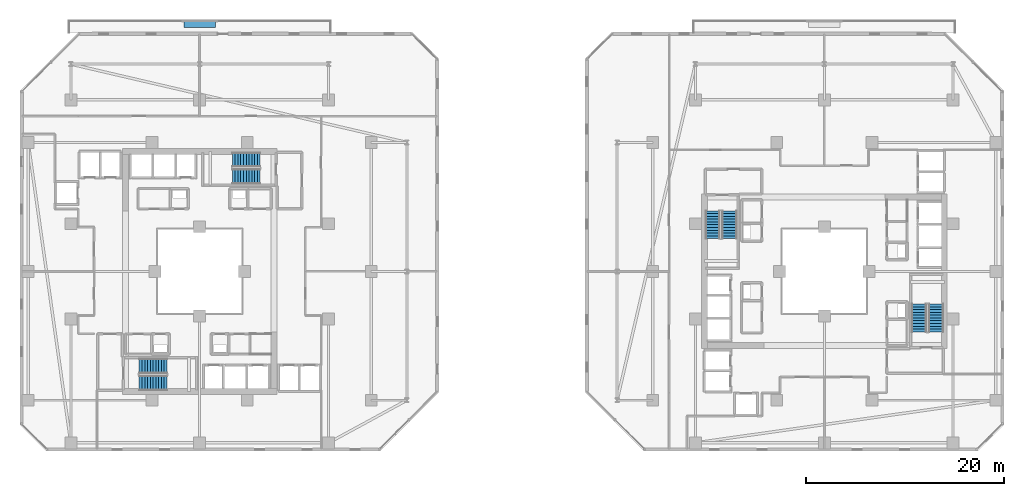
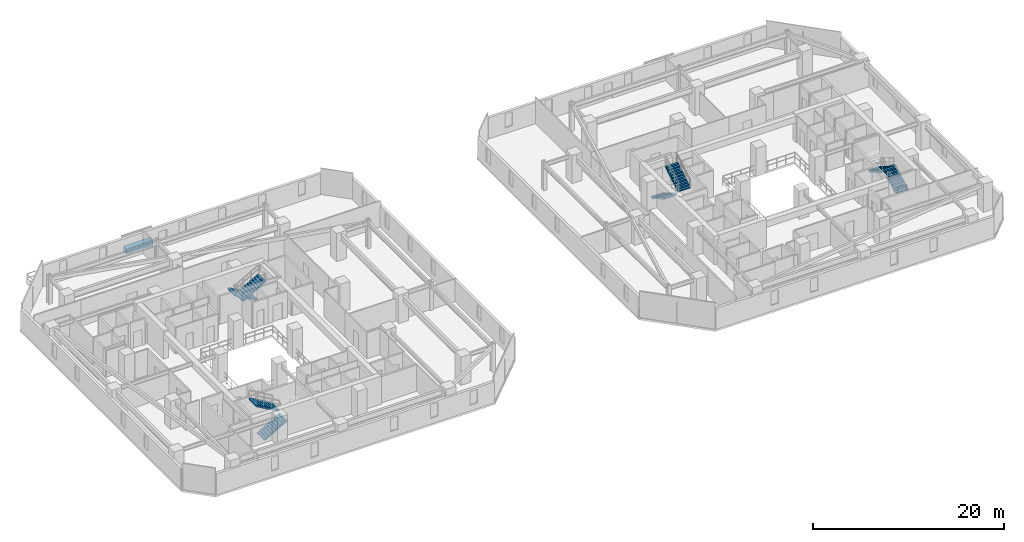
# One storey, part 24 of 30: 8 stair flights, 1 discrete accessory, 4 elements without a shape of their own.
"""IFC4 building model written with IfcOpenShell, lengths in metres."""

from ifc_helpers import new_model, si_unit, direction, frame, origin, origin_2d, place, context, subcontext, project, spatial, polyline, rectangle, outline, extrude, material, type_object, element, aggregate, save


model = new_model("IFC4")

# Units and contexts
model_context = context("Model", 3, precision=1e-05, world=origin(), true_north=direction((0.0, 1.0)))
body_context = subcontext(model_context, "Body", "Model", "MODEL_VIEW")
ifc_project = project(units=[si_unit("LENGTHUNIT", "METRE"), si_unit("AREAUNIT", "SQUARE_METRE"), si_unit("VOLUMEUNIT", "CUBIC_METRE"), si_unit("PLANEANGLEUNIT", "RADIAN"), si_unit("MASSUNIT", "GRAM", prefix="KILO")], contexts=[model_context])

# Site, building, storey
site_placement = place(None, origin())
site = spatial("IfcSite", under=ifc_project, at=site_placement, CompositionType="ELEMENT")
building_placement = place(site_placement, origin())
building = spatial("IfcBuilding", under=site, at=building_placement, Name="Thornwick Lancets Civic Towers", CompositionType="ELEMENT")
storey_placement = place(building_placement, frame((0.0, 0.0, 80.10009765625)))
storey = spatial("IfcBuildingStorey", under=building, at=storey_placement, Name="L20", CompositionType="ELEMENT", Elevation=80.10009765625)

# Stair, stair flights
ifc_material_1 = material(Name="Concrete C40/50", Category="concrete")
stair_type = type_object("IfcStairType", Name="STAIR_DL_3600", PredefinedType="HALF_TURN_STAIR", material=ifc_material_1)
stair_1_placement = place(storey_placement, origin())
stair_1 = element("IfcStair", 1, at=stair_1_placement, inside=storey, type_object=stair_type, Name="L20 Tower A South Exit Stair ST-A1", PredefinedType="HALF_TURN_STAIR")
stair_flight_type = type_object("IfcStairFlightType", Name="FLIGHT_3600", PredefinedType="STRAIGHT", material=ifc_material_1)
stair_flight_1_placement = place(storey_placement, frame((19.39990234375, 15.75, 0.0), z_axis=(0.0, 0.0, 1.0), x_axis=(1.0, 0.0, 0.0)))
stair_flight_1 = element("IfcStairFlight", 2, at=stair_flight_1_placement, type_object=stair_flight_type, Name="ST-A1 flight 1", NumberOfRisers=11, NumberOfTreads=10, PredefinedType="STRAIGHT", RiserHeight=0.163636364, TreadLength=0.28, context=body_context, shape_type="SweptSolid", body=[
    extrude(outline(polyline([(0.0, 0.0), (0.0, 0.16357421875), (0.280029296875, 0.16357421875), (0.280029296875, 0.327392578125), (0.56005859375, 0.327392578125), (0.56005859375, 0.490966796875), (0.840087890625, 0.490966796875), (0.840087890625, 0.654541015625), (1.1201171875, 0.654541015625), (1.1201171875, 0.818115234375), (1.39990234375, 0.818115234375), (1.39990234375, 0.98193359375), (1.679931640625, 0.98193359375), (1.679931640625, 1.1455078125), (1.9599609375, 1.1455078125), (1.9599609375, 1.30908203125), (2.239990234375, 1.30908203125), (2.239990234375, 1.47265625), (2.52001953125, 1.47265625), (2.52001953125, 1.636474609375), (2.800048828125, 1.636474609375), (2.800048828125, 1.800048828125), (2.800048828125, 1.462646484375), (0.297119140625, 0.0), (0.0, 0.0)])), frame((0.0, 0.75, 0.0), z_axis=(0.0, -1.0, 0.0), x_axis=(1.0, 0.0, 0.0)), (0.0, 0.0, 1.0), 1.5),
])
stair_flight_2_placement = place(storey_placement, frame((22.199951171875, 17.449951171875, 1.7998046875), z_axis=(0.0, 0.0, 1.0), x_axis=(-1.0, 0.0, 0.0)))
stair_flight_2 = element("IfcStairFlight", 3, at=stair_flight_2_placement, type_object=stair_flight_type, Name="ST-A1 flight 2", NumberOfRisers=11, NumberOfTreads=10, PredefinedType="STRAIGHT", RiserHeight=0.163636364, TreadLength=0.28, context=body_context, shape_type="SweptSolid", body=[
    extrude(outline(polyline([(0.0, 0.0), (0.0, 0.16357421875), (0.280029296875, 0.16357421875), (0.280029296875, 0.327392578125), (0.56005859375, 0.327392578125), (0.56005859375, 0.490966796875), (0.840087890625, 0.490966796875), (0.840087890625, 0.654541015625), (1.1201171875, 0.654541015625), (1.1201171875, 0.818115234375), (1.39990234375, 0.818115234375), (1.39990234375, 0.98193359375), (1.679931640625, 0.98193359375), (1.679931640625, 1.1455078125), (1.9599609375, 1.1455078125), (1.9599609375, 1.30908203125), (2.239990234375, 1.30908203125), (2.239990234375, 1.47265625), (2.52001953125, 1.47265625), (2.52001953125, 1.636474609375), (2.800048828125, 1.636474609375), (2.800048828125, 1.800048828125), (2.800048828125, 1.462646484375), (0.297119140625, 0.0), (0.0, 0.0)])), frame((0.0, 0.75, 0.0), z_axis=(0.0, -1.0, 0.0), x_axis=(1.0, 0.0, 0.0)), (0.0, 0.0, 1.0), 1.5),
])
aggregate(stair_1, [stair_flight_1, stair_flight_2])

stair_2_placement = place(storey_placement, origin())
stair_2 = element("IfcStair", 4, at=stair_2_placement, inside=storey, type_object=stair_type, Name="L20 Tower A North Exit Stair ST-A2", PredefinedType="HALF_TURN_STAIR")
stair_flight_3_placement = place(storey_placement, frame((31.60009765625, 38.25, 0.0), z_axis=(0.0, 0.0, 1.0), x_axis=(-1.0, 0.0, 0.0)))
stair_flight_3 = element("IfcStairFlight", 5, at=stair_flight_3_placement, type_object=stair_flight_type, Name="ST-A2 flight 1", NumberOfRisers=11, NumberOfTreads=10, PredefinedType="STRAIGHT", RiserHeight=0.163636364, TreadLength=0.28, context=body_context, shape_type="SweptSolid", body=[
    extrude(outline(polyline([(0.0, 0.0), (0.0, 0.16357421875), (0.280029296875, 0.16357421875), (0.280029296875, 0.327392578125), (0.56005859375, 0.327392578125), (0.56005859375, 0.490966796875), (0.840087890625, 0.490966796875), (0.840087890625, 0.654541015625), (1.1201171875, 0.654541015625), (1.1201171875, 0.818115234375), (1.39990234375, 0.818115234375), (1.39990234375, 0.98193359375), (1.679931640625, 0.98193359375), (1.679931640625, 1.1455078125), (1.9599609375, 1.1455078125), (1.9599609375, 1.30908203125), (2.239990234375, 1.30908203125), (2.239990234375, 1.47265625), (2.52001953125, 1.47265625), (2.52001953125, 1.636474609375), (2.800048828125, 1.636474609375), (2.800048828125, 1.800048828125), (2.800048828125, 1.462646484375), (0.297119140625, 0.0), (0.0, 0.0)])), frame((0.0, 0.75, 0.0), z_axis=(0.0, -1.0, 0.0), x_axis=(1.0, 0.0, 0.0)), (0.0, 0.0, 1.0), 1.5),
])
stair_flight_4_placement = place(storey_placement, frame((28.800048828125, 36.550048828125, 1.7998046875), z_axis=(0.0, 0.0, 1.0), x_axis=(1.0, 0.0, 0.0)))
stair_flight_4 = element("IfcStairFlight", 6, at=stair_flight_4_placement, type_object=stair_flight_type, Name="ST-A2 flight 2", NumberOfRisers=11, NumberOfTreads=10, PredefinedType="STRAIGHT", RiserHeight=0.163636364, TreadLength=0.28, context=body_context, shape_type="SweptSolid", body=[
    extrude(outline(polyline([(0.0, 0.0), (0.0, 0.16357421875), (0.280029296875, 0.16357421875), (0.280029296875, 0.327392578125), (0.56005859375, 0.327392578125), (0.56005859375, 0.490966796875), (0.840087890625, 0.490966796875), (0.840087890625, 0.654541015625), (1.1201171875, 0.654541015625), (1.1201171875, 0.818115234375), (1.39990234375, 0.818115234375), (1.39990234375, 0.98193359375), (1.679931640625, 0.98193359375), (1.679931640625, 1.1455078125), (1.9599609375, 1.1455078125), (1.9599609375, 1.30908203125), (2.239990234375, 1.30908203125), (2.239990234375, 1.47265625), (2.52001953125, 1.47265625), (2.52001953125, 1.636474609375), (2.800048828125, 1.636474609375), (2.800048828125, 1.800048828125), (2.800048828125, 1.462646484375), (0.297119140625, 0.0), (0.0, 0.0)])), frame((0.0, 0.75, 0.0), z_axis=(0.0, -1.0, 0.0), x_axis=(1.0, 0.0, 0.0)), (0.0, 0.0, 1.0), 1.5),
])
aggregate(stair_2, [stair_flight_3, stair_flight_4])

stair_3_placement = place(storey_placement, origin())
stair_3 = element("IfcStair", 7, at=stair_3_placement, inside=storey, type_object=stair_type, Name="L20 Tower B East Exit Stair ST-B1", PredefinedType="HALF_TURN_STAIR")
stair_flight_5_placement = place(storey_placement, frame((99.75, 20.89990234375, 0.0), z_axis=(0.0, 0.0, 1.0), x_axis=(0.0, 1.0, 0.0)))
stair_flight_5 = element("IfcStairFlight", 8, at=stair_flight_5_placement, type_object=stair_flight_type, Name="ST-B1 flight 1", NumberOfRisers=11, NumberOfTreads=10, PredefinedType="STRAIGHT", RiserHeight=0.163636364, TreadLength=0.28, context=body_context, shape_type="SweptSolid", body=[
    extrude(outline(polyline([(0.0, 0.0), (0.0, 0.16357421875), (0.280029296875, 0.16357421875), (0.280029296875, 0.327392578125), (0.56005859375, 0.327392578125), (0.56005859375, 0.490966796875), (0.840087890625, 0.490966796875), (0.840087890625, 0.654541015625), (1.1201171875, 0.654541015625), (1.1201171875, 0.818115234375), (1.39990234375, 0.818115234375), (1.39990234375, 0.98193359375), (1.679931640625, 0.98193359375), (1.679931640625, 1.1455078125), (1.9599609375, 1.1455078125), (1.9599609375, 1.30908203125), (2.239990234375, 1.30908203125), (2.239990234375, 1.47265625), (2.52001953125, 1.47265625), (2.52001953125, 1.636474609375), (2.800048828125, 1.636474609375), (2.800048828125, 1.800048828125), (2.800048828125, 1.462646484375), (0.297119140625, 0.0), (0.0, 0.0)])), frame((0.0, 0.75, 0.0), z_axis=(0.0, -1.0, 0.0), x_axis=(1.0, 0.0, 0.0)), (0.0, 0.0, 1.0), 1.5),
])
stair_flight_6_placement = place(storey_placement, frame((98.050048828125, 23.699951171875, 1.7998046875), z_axis=(0.0, 0.0, 1.0), x_axis=(0.0, -1.0, 0.0)))
stair_flight_6 = element("IfcStairFlight", 9, at=stair_flight_6_placement, type_object=stair_flight_type, Name="ST-B1 flight 2", NumberOfRisers=11, NumberOfTreads=10, PredefinedType="STRAIGHT", RiserHeight=0.163636364, TreadLength=0.28, context=body_context, shape_type="SweptSolid", body=[
    extrude(outline(polyline([(0.0, 0.0), (0.0, 0.16357421875), (0.280029296875, 0.16357421875), (0.280029296875, 0.327392578125), (0.56005859375, 0.327392578125), (0.56005859375, 0.490966796875), (0.840087890625, 0.490966796875), (0.840087890625, 0.654541015625), (1.1201171875, 0.654541015625), (1.1201171875, 0.818115234375), (1.39990234375, 0.818115234375), (1.39990234375, 0.98193359375), (1.679931640625, 0.98193359375), (1.679931640625, 1.1455078125), (1.9599609375, 1.1455078125), (1.9599609375, 1.30908203125), (2.239990234375, 1.30908203125), (2.239990234375, 1.47265625), (2.52001953125, 1.47265625), (2.52001953125, 1.636474609375), (2.800048828125, 1.636474609375), (2.800048828125, 1.800048828125), (2.800048828125, 1.462646484375), (0.297119140625, 0.0), (0.0, 0.0)])), frame((0.0, 0.75, 0.0), z_axis=(0.0, -1.0, 0.0), x_axis=(1.0, 0.0, 0.0)), (0.0, 0.0, 1.0), 1.5),
])
aggregate(stair_3, [stair_flight_5, stair_flight_6])

stair_4_placement = place(storey_placement, origin())
stair_4 = element("IfcStair", 10, at=stair_4_placement, inside=storey, type_object=stair_type, Name="L20 Tower B West Exit Stair ST-B2", PredefinedType="HALF_TURN_STAIR")
stair_flight_7_placement = place(storey_placement, frame((77.25, 33.10009765625, 0.0), z_axis=(0.0, 0.0, 1.0), x_axis=(0.0, -1.0, 0.0)))
stair_flight_7 = element("IfcStairFlight", 11, at=stair_flight_7_placement, type_object=stair_flight_type, Name="ST-B2 flight 1", NumberOfRisers=11, NumberOfTreads=10, PredefinedType="STRAIGHT", RiserHeight=0.163636364, TreadLength=0.28, context=body_context, shape_type="SweptSolid", body=[
    extrude(outline(polyline([(0.0, 0.0), (0.0, 0.16357421875), (0.280029296875, 0.16357421875), (0.280029296875, 0.327392578125), (0.56005859375, 0.327392578125), (0.56005859375, 0.490966796875), (0.840087890625, 0.490966796875), (0.840087890625, 0.654541015625), (1.1201171875, 0.654541015625), (1.1201171875, 0.818115234375), (1.39990234375, 0.818115234375), (1.39990234375, 0.98193359375), (1.679931640625, 0.98193359375), (1.679931640625, 1.1455078125), (1.9599609375, 1.1455078125), (1.9599609375, 1.30908203125), (2.239990234375, 1.30908203125), (2.239990234375, 1.47265625), (2.52001953125, 1.47265625), (2.52001953125, 1.636474609375), (2.800048828125, 1.636474609375), (2.800048828125, 1.800048828125), (2.800048828125, 1.462646484375), (0.297119140625, 0.0), (0.0, 0.0)])), frame((0.0, 0.75, 0.0), z_axis=(0.0, -1.0, 0.0), x_axis=(1.0, 0.0, 0.0)), (0.0, 0.0, 1.0), 1.5),
])
stair_flight_8_placement = place(storey_placement, frame((78.949951171875, 30.300048828125, 1.7998046875), z_axis=(0.0, 0.0, 1.0), x_axis=(0.0, 1.0, 0.0)))
stair_flight_8 = element("IfcStairFlight", 12, at=stair_flight_8_placement, type_object=stair_flight_type, Name="ST-B2 flight 2", NumberOfRisers=11, NumberOfTreads=10, PredefinedType="STRAIGHT", RiserHeight=0.163636364, TreadLength=0.28, context=body_context, shape_type="SweptSolid", body=[
    extrude(outline(polyline([(0.0, 0.0), (0.0, 0.16357421875), (0.280029296875, 0.16357421875), (0.280029296875, 0.327392578125), (0.56005859375, 0.327392578125), (0.56005859375, 0.490966796875), (0.840087890625, 0.490966796875), (0.840087890625, 0.654541015625), (1.1201171875, 0.654541015625), (1.1201171875, 0.818115234375), (1.39990234375, 0.818115234375), (1.39990234375, 0.98193359375), (1.679931640625, 0.98193359375), (1.679931640625, 1.1455078125), (1.9599609375, 1.1455078125), (1.9599609375, 1.30908203125), (2.239990234375, 1.30908203125), (2.239990234375, 1.47265625), (2.52001953125, 1.47265625), (2.52001953125, 1.636474609375), (2.800048828125, 1.636474609375), (2.800048828125, 1.800048828125), (2.800048828125, 1.462646484375), (0.297119140625, 0.0), (0.0, 0.0)])), frame((0.0, 0.75, 0.0), z_axis=(0.0, -1.0, 0.0), x_axis=(1.0, 0.0, 0.0)), (0.0, 0.0, 1.0), 1.5),
])
aggregate(stair_4, [stair_flight_7, stair_flight_8])

# Discrete accessory
ifc_material_2 = material(Name="Planted terracotta greenery planter", Category="masonry")
discrete_accessory_type = type_object("IfcDiscreteAccessoryType", Name="ACC_PLANTER_BOX", PredefinedType="USERDEFINED", material=ifc_material_2)
discrete_accessory_placement = place(storey_placement, frame((25.5, 51.89990234375, 0.0), z_axis=(0.0, 0.0, 1.0), x_axis=(1.0, 0.0, 0.0)))
element("IfcDiscreteAccessory", 13, at=discrete_accessory_placement, inside=storey, type_object=discrete_accessory_type, Name="L20 Tower A Balcony Greenery Planter N", ObjectType="PLANTER", PredefinedType="USERDEFINED", context=body_context, shape_type="SweptSolid", body=[
    extrude(rectangle(XDim=3.199951171875, YDim=0.64990234375, at=origin_2d()), origin(), (0.0, 0.0, 1.0), 0.64990234375),
])

save(model, "model.ifc")
